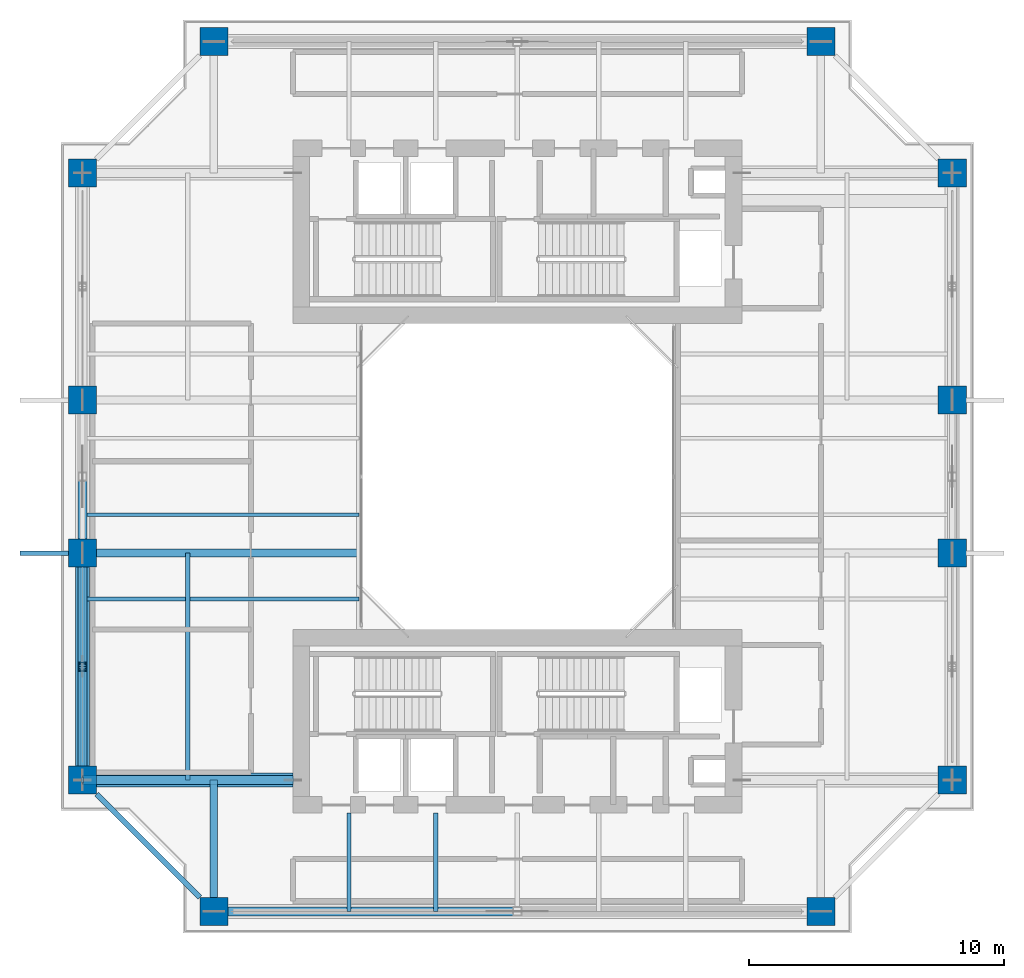
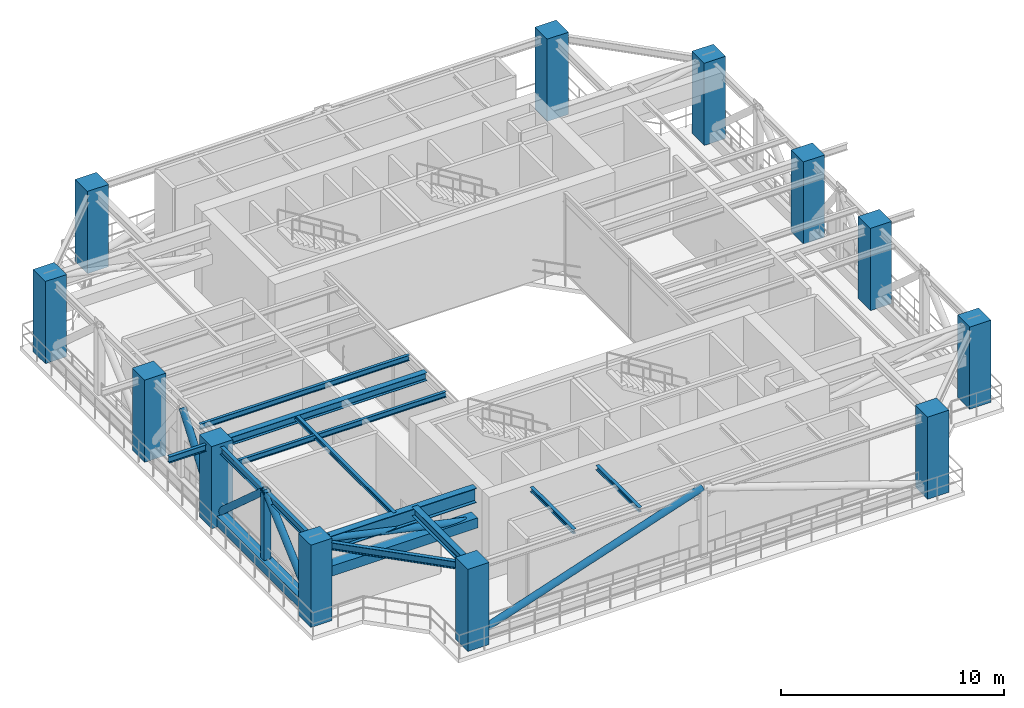
# One storey, part 1 of 11: 12 columns, 11 beams, 8 members.
"""IFC4 building model written with IfcOpenShell, lengths in metres."""

from ifc_helpers import new_model, si_unit, direction, frame, origin, origin_2d, place, context, subcontext, project, spatial, rectangle, hollow_rectangle, hollow_circle, i_section, extrude, source, transform, mapped, material, material_profile, profile_set, type_object, element, save


model = new_model("IFC4")

# Units and contexts
model_context = context("Model", 3, precision=1e-05, world=origin(), true_north=direction((0.0, 1.0)))
body_context = subcontext(model_context, "Body", "Model", "MODEL_VIEW")
ifc_project = project(units=[si_unit("LENGTHUNIT", "METRE"), si_unit("AREAUNIT", "SQUARE_METRE"), si_unit("VOLUMEUNIT", "CUBIC_METRE"), si_unit("PLANEANGLEUNIT", "RADIAN"), si_unit("MASSUNIT", "GRAM", prefix="KILO"), si_unit("THERMODYNAMICTEMPERATUREUNIT", "KELVIN"), si_unit("POWERUNIT", "WATT")], contexts=[model_context])

# Site, building, storey
site_placement = place(None, origin())
site = spatial("IfcSite", under=ifc_project, at=site_placement, CompositionType="ELEMENT")
building_placement = place(site_placement, origin())
building = spatial("IfcBuilding", under=site, at=building_placement, Name="Qiaomeng Ring Towers", CompositionType="ELEMENT")
storey_placement = place(building_placement, frame((0.0, 0.0, 139.25)))
storey = spatial("IfcBuildingStorey", under=building, at=storey_placement, Name="L40", CompositionType="ELEMENT", Elevation=139.25)

# Columns
ifc_material_1 = material(Name="Concrete C55", Category="concrete")
ifc_material_profile_1 = material_profile(ifc_material_1, rectangle(XDim=1.10009765625, YDim=1.10009765625, at=origin_2d()), Name="RC COL 1100x1100")
ifc_profile_set_1 = profile_set([ifc_material_profile_1], Name="Concrete C55")
column_type = type_object("IfcColumnType", Name="STR-COL-1100-C55", PredefinedType="COLUMN", material=ifc_profile_set_1)
shared_shape_1 = source(origin(), body_context, "Body", "SweptSolid", [
    extrude(rectangle(XDim=1.10009765625, YDim=1.10009765625, at=origin_2d()), origin(), (0.0, 0.0, 1.0), 4.5),
])
for number, where, z_axis, x_axis, name in (
    (1, (7.10009765625, 5.949951171875, 0.0), (0.0, 0.0, 1.0), (1.0, 0.0, 0.0), "L40 column STR-COL-L40-T1-S1"),
    (2, (30.89990234375, 5.949951171875, 0.0), (0.0, 0.0, 1.0), (1.0, 0.0, 0.0), "L40 column STR-COL-L40-T1-S2"),
    (3, (36.050048828125, 11.10009765625, 0.0), (0.0, 0.0, 1.0), (1.0, 0.0, 0.0), "L40 column STR-COL-L40-T1-E1"),
    (4, (36.050048828125, 20.0, 0.0), (0.0, 0.0, 1.0), (1.0, 0.0, 0.0), "L40 column STR-COL-L40-T1-E2"),
    (5, (36.050048828125, 26.0, 0.0), (0.0, 0.0, 1.0), (1.0, 0.0, 0.0), "L40 column STR-COL-L40-T1-E3"),
    (6, (36.050048828125, 34.89990234375, 0.0), (0.0, 0.0, 1.0), (1.0, 0.0, 0.0), "L40 column STR-COL-L40-T1-E4"),
    (7, (30.89990234375, 40.050048828125, 0.0), (0.0, 0.0, 1.0), (1.0, 0.0, 0.0), "L40 column STR-COL-L40-T1-N2"),
    (8, (7.10009765625, 40.050048828125, 0.0), (0.0, 0.0, 1.0), (1.0, 0.0, 0.0), "L40 column STR-COL-L40-T1-N1"),
    (9, (1.949951171875, 34.89990234375, 0.0), (0.0, 0.0, 1.0), (1.0, 0.0, 0.0), "L40 column STR-COL-L40-T1-W4"),
    (10, (1.949951171875, 26.0, 0.0), (0.0, 0.0, 1.0), (1.0, 0.0, 0.0), "L40 column STR-COL-L40-T1-W3"),
    (11, (1.949951171875, 20.0, 0.0), (0.0, 0.0, 1.0), (1.0, 0.0, 0.0), "L40 column STR-COL-L40-T1-W2"),
    (12, (1.949951171875, 11.10009765625, 0.0), (0.0, 0.0, 1.0), (1.0, 0.0, 0.0), "L40 column STR-COL-L40-T1-W1"),
):
    element("IfcColumn", number, at=place(storey_placement, frame(where, z_axis=z_axis, x_axis=x_axis)), inside=storey, type_object=column_type, Name=name, PredefinedType="COLUMN", context=body_context, shape_type="MappedRepresentation", body=[
        mapped(shared_shape_1, transform((0.0, 0.0, 0.0), x_axis=(1.0, 0.0, 0.0), y_axis=(0.0, 1.0, 0.0), z_axis=(0.0, 0.0, 1.0), scale=1.0)),
    ])

# Member
ifc_material_2 = material(Name="Steel Q390GJC", Category="steel")
ifc_material_profile_2 = material_profile(ifc_material_2, hollow_rectangle(XDim=0.35009765625, YDim=0.35009765625, WallThickness=0.02001953125, at=origin_2d()), Name="SHS 350x350x20")
ifc_profile_set_2 = profile_set([ifc_material_profile_2], Name="Steel Q390GJC")
member_type_1 = type_object("IfcMemberType", Name="STR-MB-POST-350", PredefinedType="POST", material=ifc_profile_set_2)
shared_shape_2 = source(origin(), body_context, "Body", "SweptSolid", [
    extrude(hollow_rectangle(XDim=0.35009765625, YDim=0.35009765625, WallThickness=0.02001953125, at=origin_2d()), origin(), (0.0, 0.0, 1.0), 4.0),
])
member_1_placement = place(storey_placement, frame((1.949951171875, 15.550048828125, 0.320068359375), z_axis=(0.0, 0.0, 1.0), x_axis=(1.0, 0.0, 0.0)))
element("IfcMember", 13, at=member_1_placement, inside=storey, type_object=member_type_1, Name="L40 Belt Truss Post W2-W1", PredefinedType="POST", context=body_context, shape_type="MappedRepresentation", body=[
    mapped(shared_shape_2, transform((0.0, 0.0, 0.0), x_axis=(1.0, 0.0, 0.0), y_axis=(0.0, 1.0, 0.0), z_axis=(0.0, 0.0, 1.0), scale=1.0)),
])

# Beams
ifc_material_3 = material(Name="Steel Q355B", Category="steel")
ifc_material_profile_3 = material_profile(ifc_material_3, i_section(OverallWidth=0.199951171875, OverallDepth=0.39990234375, WebThickness=0.008056640625, FlangeThickness=0.012939453125, FilletRadius=0.01611328125, at=origin_2d()), Name="HN 400x200x8x13")
ifc_profile_set_3 = profile_set([ifc_material_profile_3], Name="Steel Q355B")
beam_type_1 = type_object("IfcBeamType", Name="STR-BM-HN400", PredefinedType="SPANDREL", material=ifc_profile_set_3)
shared_shape_3 = source(origin(), body_context, "Body", "SweptSolid", [
    extrude(i_section(OverallWidth=0.199951171875, OverallDepth=0.39990234375, WebThickness=0.008056640625, FlangeThickness=0.012939453125, FilletRadius=0.01611328125, at=origin_2d()), origin(), (0.0, 0.0, 1.0), 5.729736328125),
])
beam_1_placement = place(storey_placement, frame((2.499267578125, 10.55078125, 4.1201171875), z_axis=(0.707106781187, -0.707106781187, 0.0), x_axis=(0.707106781187, 0.707106781187, 0.0)))
element("IfcBeam", 14, at=beam_1_placement, inside=storey, type_object=beam_type_1, Name="L40 beam STR-SP-L40-T1-W1-S1", PredefinedType="SPANDREL", context=body_context, shape_type="MappedRepresentation", body=[
    mapped(shared_shape_3, transform((0.0, 0.0, 0.0), x_axis=(1.0, 0.0, 0.0), y_axis=(0.0, 1.0, 0.0), z_axis=(0.0, 0.0, 1.0), scale=1.0)),
])
shared_shape_4 = source(origin(), body_context, "Body", "SweptSolid", [
    extrude(i_section(OverallWidth=0.199951171875, OverallDepth=0.39990234375, WebThickness=0.008056640625, FlangeThickness=0.012939453125, FilletRadius=0.01611328125, at=origin_2d()), origin(), (0.0, 0.0, 1.0), 7.802001953125),
])
beam_2_placement = place(storey_placement, frame((1.949951171875, 19.450927734375, 4.1201171875), z_axis=(0.0, -1.0, 0.0), x_axis=(1.0, 0.0, 0.0)))
element("IfcBeam", 15, at=beam_2_placement, inside=storey, type_object=beam_type_1, Name="L40 beam STR-SP-L40-T1-W2-W1", PredefinedType="SPANDREL", context=body_context, shape_type="MappedRepresentation", body=[
    mapped(shared_shape_4, transform((0.0, 0.0, 0.0), x_axis=(1.0, 0.0, 0.0), y_axis=(0.0, 1.0, 0.0), z_axis=(0.0, 0.0, 1.0), scale=1.0)),
])
ifc_material_profile_4 = material_profile(ifc_material_2, i_section(OverallWidth=0.35009765625, OverallDepth=0.800048828125, WebThickness=0.01611328125, FlangeThickness=0.028076171875, at=origin_2d()), Name="WH 800x350x16x28")
ifc_profile_set_4 = profile_set([ifc_material_profile_4], Name="Steel Q390GJC")
beam_type_2 = type_object("IfcBeamType", Name="STR-BM-WH800", PredefinedType="BEAM", material=ifc_profile_set_4)
shared_shape_5 = source(origin(), body_context, "Body", "SweptSolid", [
    extrude(i_section(OverallWidth=0.35009765625, OverallDepth=0.800048828125, WebThickness=0.01611328125, FlangeThickness=0.028076171875, at=origin_2d()), origin(), (0.0, 0.0, 1.0), 7.700927734375),
])
beam_3_placement = place(storey_placement, frame((2.4990234375, 11.10009765625, 3.919921875), z_axis=(1.0, 0.0, 0.0), x_axis=(0.0, 1.0, 0.0)))
element("IfcBeam", 16, at=beam_3_placement, inside=storey, type_object=beam_type_2, Name="L40 beam STR-BM-L40-T1-RAD-W1", PredefinedType="BEAM", context=body_context, shape_type="MappedRepresentation", body=[
    mapped(shared_shape_5, transform((0.0, 0.0, 0.0), x_axis=(1.0, 0.0, 0.0), y_axis=(0.0, 1.0, 0.0), z_axis=(0.0, 0.0, 1.0), scale=1.0)),
])
ifc_material_profile_5 = material_profile(ifc_material_3, i_section(OverallWidth=0.300048828125, OverallDepth=0.488037109375, WebThickness=0.010986328125, FlangeThickness=0.01806640625, FilletRadius=0.02587890625, at=origin_2d()), Name="HM 488x300x11x18")
ifc_profile_set_5 = profile_set([ifc_material_profile_5], Name="Steel Q355B")
beam_type_3 = type_object("IfcBeamType", Name="STR-BM-HM488", PredefinedType="BEAM", material=ifc_profile_set_5)
shared_shape_6 = source(origin(), body_context, "Body", "SweptSolid", [
    extrude(i_section(OverallWidth=0.300048828125, OverallDepth=0.488037109375, WebThickness=0.010986328125, FlangeThickness=0.01806640625, FilletRadius=0.02587890625, at=origin_2d()), origin(), (0.0, 0.0, 1.0), 4.60107421875),
])
beam_4_placement = place(storey_placement, frame((7.10009765625, 6.4990234375, 4.075927734375), z_axis=(0.0, 1.0, 0.0), x_axis=(-1.0, 0.0, 0.0)))
element("IfcBeam", 17, at=beam_4_placement, inside=storey, type_object=beam_type_3, Name="L40 beam STR-BM-L40-T1-RAD-S1", PredefinedType="BEAM", context=body_context, shape_type="MappedRepresentation", body=[
    mapped(shared_shape_6, transform((0.0, 0.0, 0.0), x_axis=(1.0, 0.0, 0.0), y_axis=(0.0, 1.0, 0.0), z_axis=(0.0, 0.0, 1.0), scale=1.0)),
])
ifc_material_profile_6 = material_profile(ifc_material_3, i_section(OverallWidth=0.300048828125, OverallDepth=0.43994140625, WebThickness=0.010986328125, FlangeThickness=0.01806640625, FilletRadius=0.02392578125, at=origin_2d()), Name="HM 440x300x11x18")
ifc_profile_set_6 = profile_set([ifc_material_profile_6], Name="Steel Q355B")
beam_type_4 = type_object("IfcBeamType", Name="STR-BM-HM440", PredefinedType="BEAM", material=ifc_profile_set_6)
shared_shape_7 = source(origin(), body_context, "Body", "SweptSolid", [
    extrude(i_section(OverallWidth=0.300048828125, OverallDepth=0.43994140625, WebThickness=0.010986328125, FlangeThickness=0.01806640625, FilletRadius=0.02392578125, at=origin_2d()), origin(), (0.0, 0.0, 1.0), 10.301025390625),
])
beam_5_placement = place(storey_placement, frame((2.4990234375, 20.0, 4.10009765625), z_axis=(1.0, 0.0, 0.0), x_axis=(0.0, 1.0, 0.0)))
element("IfcBeam", 18, at=beam_5_placement, inside=storey, type_object=beam_type_4, Name="L40 beam STR-BM-L40-T1-RAD-W2", PredefinedType="BEAM", context=body_context, shape_type="MappedRepresentation", body=[
    mapped(shared_shape_7, transform((0.0, 0.0, 0.0), x_axis=(1.0, 0.0, 0.0), y_axis=(0.0, 1.0, 0.0), z_axis=(0.0, 0.0, 1.0), scale=1.0)),
])
ifc_material_profile_7 = material_profile(ifc_material_3, i_section(OverallWidth=0.175048828125, OverallDepth=0.243896484375, WebThickness=0.007080078125, FlangeThickness=0.010986328125, FilletRadius=0.01611328125, at=origin_2d()), Name="HM 244x175x7x11")
ifc_profile_set_7 = profile_set([ifc_material_profile_7], Name="Steel Q355B")
beam_type_5 = type_object("IfcBeamType", Name="STR-BM-HM244", PredefinedType="JOIST", material=ifc_profile_set_7)
shared_shape_8 = source(origin(), body_context, "Body", "SweptSolid", [
    extrude(i_section(OverallWidth=0.175048828125, OverallDepth=0.243896484375, WebThickness=0.007080078125, FlangeThickness=0.010986328125, FilletRadius=0.01611328125, at=origin_2d()), origin(), (0.0, 0.0, 1.0), 3.85009765625),
])
for number, where, z_axis, x_axis, name in (
    (19, (12.39990234375, 5.949951171875, 4.197998046875), (0.0, 1.0, 0.0), (-1.0, 0.0, 0.0), "L40 beam STR-JST-L40-T1S-1"),
    (20, (15.800048828125, 5.949951171875, 4.197998046875), (0.0, 1.0, 0.0), (-1.0, 0.0, 0.0), "L40 beam STR-JST-L40-T1S-2"),
):
    element("IfcBeam", number, at=place(storey_placement, frame(where, z_axis=z_axis, x_axis=x_axis)), inside=storey, type_object=beam_type_5, Name=name, PredefinedType="JOIST", context=body_context, shape_type="MappedRepresentation", body=[
        mapped(shared_shape_8, transform((0.0, 0.0, 0.0), x_axis=(1.0, 0.0, 0.0), y_axis=(0.0, 1.0, 0.0), z_axis=(0.0, 0.0, 1.0), scale=1.0)),
    ])
ifc_material_profile_8 = material_profile(ifc_material_3, i_section(OverallWidth=0.14990234375, OverallDepth=0.300048828125, WebThickness=0.006591796875, FlangeThickness=0.009033203125, FilletRadius=0.012939453125, at=origin_2d()), Name="HN 300x150x6.5x9")
ifc_profile_set_8 = profile_set([ifc_material_profile_8], Name="Steel Q355B")
beam_type_6 = type_object("IfcBeamType", Name="STR-BM-HN300", PredefinedType="JOIST", material=ifc_profile_set_8)
shared_shape_9 = source(origin(), body_context, "Body", "SweptSolid", [
    extrude(i_section(OverallWidth=0.14990234375, OverallDepth=0.300048828125, WebThickness=0.006591796875, FlangeThickness=0.009033203125, FilletRadius=0.012939453125, at=origin_2d()), origin(), (0.0, 0.0, 1.0), 10.85009765625),
])
for number, where, z_axis, x_axis, name in (
    (21, (1.949951171875, 18.199951171875, 4.169921875), (1.0, 0.0, 0.0), (0.0, 1.0, 0.0), "L40 beam STR-JST-L40-T1W-1"),
    (22, (1.949951171875, 21.5, 4.169921875), (1.0, 0.0, 0.0), (0.0, 1.0, 0.0), "L40 beam STR-JST-L40-T1W-2"),
):
    element("IfcBeam", number, at=place(storey_placement, frame(where, z_axis=z_axis, x_axis=x_axis)), inside=storey, type_object=beam_type_6, Name=name, PredefinedType="JOIST", context=body_context, shape_type="MappedRepresentation", body=[
        mapped(shared_shape_9, transform((0.0, 0.0, 0.0), x_axis=(1.0, 0.0, 0.0), y_axis=(0.0, 1.0, 0.0), z_axis=(0.0, 0.0, 1.0), scale=1.0)),
    ])
shared_shape_10 = source(origin(), body_context, "Body", "SweptSolid", [
    extrude(i_section(OverallWidth=0.175048828125, OverallDepth=0.243896484375, WebThickness=0.007080078125, FlangeThickness=0.010986328125, FilletRadius=0.01611328125, at=origin_2d()), origin(), (0.0, 0.0, 1.0), 8.89990234375),
])
beam_6_placement = place(storey_placement, frame((6.074951171875, 11.10009765625, 4.197998046875), z_axis=(0.0, 1.0, 0.0), x_axis=(-1.0, 0.0, 0.0)))
element("IfcBeam", 23, at=beam_6_placement, inside=storey, type_object=beam_type_5, Name="L40 beam STR-JST-L40-T1C-WS", PredefinedType="JOIST", context=body_context, shape_type="MappedRepresentation", body=[
    mapped(shared_shape_10, transform((0.0, 0.0, 0.0), x_axis=(1.0, 0.0, 0.0), y_axis=(0.0, 1.0, 0.0), z_axis=(0.0, 0.0, 1.0), scale=1.0)),
])
ifc_material_profile_9 = material_profile(ifc_material_3, i_section(OverallWidth=0.175048828125, OverallDepth=0.35009765625, WebThickness=0.007080078125, FlangeThickness=0.010986328125, FilletRadius=0.013916015625, at=origin_2d()), Name="HN 350x175x7x11")
ifc_profile_set_9 = profile_set([ifc_material_profile_9], Name="Steel Q355B")
beam_type_7 = type_object("IfcBeamType", Name="STR-BM-HN350", PredefinedType="JOIST", material=ifc_profile_set_9)
shared_shape_11 = source(origin(), body_context, "Body", "SweptSolid", [
    extrude(i_section(OverallWidth=0.175048828125, OverallDepth=0.35009765625, WebThickness=0.007080078125, FlangeThickness=0.010986328125, FilletRadius=0.013916015625, at=origin_2d()), origin(), (0.0, 0.0, 1.0), 1.90087890625),
])
beam_7_placement = place(storey_placement, frame((-0.5, 20.0, 4.14501953125), z_axis=(1.0, 0.0, 0.0), x_axis=(0.0, 1.0, 0.0)))
element("IfcBeam", 24, at=beam_7_placement, inside=storey, type_object=beam_type_7, Name="L40 beam STR-BALBM-L40-W2", PredefinedType="JOIST", context=body_context, shape_type="MappedRepresentation", body=[
    mapped(shared_shape_11, transform((0.0, 0.0, 0.0), x_axis=(1.0, 0.0, 0.0), y_axis=(0.0, 1.0, 0.0), z_axis=(0.0, 0.0, 1.0), scale=1.0)),
])

# Members
ifc_material_profile_10 = material_profile(ifc_material_2, hollow_circle(Radius=0.177978515625, WallThickness=0.02001953125, at=origin_2d()), Name="CHS 356x20")
ifc_profile_set_10 = profile_set([ifc_material_profile_10], Name="Steel Q390GJC")
member_type_2 = type_object("IfcMemberType", Name="STR-MB-BR-356", PredefinedType="BRACE", material=ifc_profile_set_10)
shared_shape_12 = source(origin(), body_context, "Body", "SweptSolid", [
    extrude(hollow_circle(Radius=0.177978515625, WallThickness=0.02001953125, at=origin_2d()), origin(), (0.0, 0.0, 1.0), 12.5478515625),
])
member_2_placement = place(storey_placement, frame((7.10009765625, 5.949951171875, 0.320068359375), z_axis=(0.948363723431, 0.0, 0.317184879967), x_axis=(0.0, 1.0, 0.0)))
element("IfcMember", 25, at=member_2_placement, inside=storey, type_object=member_type_2, Name="L40 Belt Truss Diagonal S1-M", PredefinedType="BRACE", context=body_context, shape_type="MappedRepresentation", body=[
    mapped(shared_shape_12, transform((0.0, 0.0, 0.0), x_axis=(1.0, 0.0, 0.0), y_axis=(0.0, 1.0, 0.0), z_axis=(0.0, 0.0, 1.0), scale=1.0)),
])
ifc_material_profile_11 = material_profile(ifc_material_2, hollow_rectangle(XDim=0.550048828125, YDim=0.550048828125, WallThickness=0.031982421875, at=origin_2d()), Name="SHS 550x550x32")
ifc_profile_set_11 = profile_set([ifc_material_profile_11], Name="Steel Q390GJC")
member_type_3 = type_object("IfcMemberType", Name="STR-MB-CHORD-550", PredefinedType="CHORD", material=ifc_profile_set_11)
shared_shape_13 = source(origin(), body_context, "Body", "SweptSolid", [
    extrude(hollow_rectangle(XDim=0.550048828125, YDim=0.550048828125, WallThickness=0.031982421875, at=origin_2d()), origin(), (0.0, 0.0, 1.0), 8.89990234375),
])
member_3_placement = place(storey_placement, frame((1.949951171875, 20.0, 0.320068359375), z_axis=(0.0, -1.0, 0.0), x_axis=(1.0, 0.0, 0.0)))
element("IfcMember", 26, at=member_3_placement, inside=storey, type_object=member_type_3, Name="L40 Belt Truss Bottom Chord W2-W1", PredefinedType="CHORD", context=body_context, shape_type="MappedRepresentation", body=[
    mapped(shared_shape_13, transform((0.0, 0.0, 0.0), x_axis=(1.0, 0.0, 0.0), y_axis=(0.0, 1.0, 0.0), z_axis=(0.0, 0.0, 1.0), scale=1.0)),
])
shared_shape_14 = source(origin(), body_context, "Body", "SweptSolid", [
    extrude(hollow_circle(Radius=0.177978515625, WallThickness=0.02001953125, at=origin_2d()), origin(), (0.0, 0.0, 1.0), 5.97021484375),
])
for number, where, z_axis, x_axis, name in (
    (27, (1.949951171875, 20.0, 0.320068359375), (0.0, -0.745370712537, 0.666650208799), (1.0, 0.0, 0.0), "L40 Belt Truss Diagonal W2-M"),
    (28, (1.949951171875, 11.10009765625, 0.320068359375), (0.0, 0.745370712537, 0.666650208799), (-1.0, 0.0, 0.0), "L40 Belt Truss Diagonal W1-M"),
):
    element("IfcMember", number, at=place(storey_placement, frame(where, z_axis=z_axis, x_axis=x_axis)), inside=storey, type_object=member_type_2, Name=name, PredefinedType="BRACE", context=body_context, shape_type="MappedRepresentation", body=[
        mapped(shared_shape_14, transform((0.0, 0.0, 0.0), x_axis=(1.0, 0.0, 0.0), y_axis=(0.0, 1.0, 0.0), z_axis=(0.0, 0.0, 1.0), scale=1.0)),
    ])
shared_shape_15 = source(origin(), body_context, "Body", "SweptSolid", [
    extrude(hollow_circle(Radius=0.177978515625, WallThickness=0.02001953125, at=origin_2d()), origin(), (0.0, 0.0, 1.0), 4.98388671875),
])
member_4_placement = place(storey_placement, frame((1.949951171875, 20.0, 0.320068359375), z_axis=(0.0, 0.601926302674, 0.798551642757), x_axis=(-1.0, 0.0, 0.0)))
element("IfcMember", 29, at=member_4_placement, inside=storey, type_object=member_type_2, Name="L40 Belt Truss Diagonal W2-M", PredefinedType="BRACE", context=body_context, shape_type="MappedRepresentation", body=[
    mapped(shared_shape_15, transform((0.0, 0.0, 0.0), x_axis=(1.0, 0.0, 0.0), y_axis=(0.0, 1.0, 0.0), z_axis=(0.0, 0.0, 1.0), scale=1.0)),
])
shared_shape_16 = source(origin(), body_context, "Body", "SweptSolid", [
    extrude(hollow_rectangle(XDim=0.550048828125, YDim=0.550048828125, WallThickness=0.031982421875, at=origin_2d()), origin(), (0.0, 0.0, 1.0), 8.25),
])
member_5_placement = place(storey_placement, frame((10.199951171875, 11.10009765625, 2.47998046875), z_axis=(-1.0, 0.0, 0.0), x_axis=(0.0, -1.0, 0.0)))
element("IfcMember", 30, at=member_5_placement, inside=storey, type_object=member_type_3, Name="L40 Core Outrigger Truss Bottom Chord W1", PredefinedType="CHORD", context=body_context, shape_type="MappedRepresentation", body=[
    mapped(shared_shape_16, transform((0.0, 0.0, 0.0), x_axis=(1.0, 0.0, 0.0), y_axis=(0.0, 1.0, 0.0), z_axis=(0.0, 0.0, 1.0), scale=1.0)),
])
shared_shape_17 = source(origin(), body_context, "Body", "SweptSolid", [
    extrude(hollow_circle(Radius=0.177978515625, WallThickness=0.02001953125, at=origin_2d()), origin(), (0.0, 0.0, 1.0), 8.448486328125),
])
member_6_placement = place(storey_placement, frame((10.199951171875, 11.10009765625, 2.47998046875), z_axis=(-0.976518409555, 0.0, 0.215433970858), x_axis=(0.0, -1.0, 0.0)))
element("IfcMember", 31, at=member_6_placement, inside=storey, type_object=member_type_2, Name="L40 Core Outrigger Truss Diagonal W1", PredefinedType="BRACE", context=body_context, shape_type="MappedRepresentation", body=[
    mapped(shared_shape_17, transform((0.0, 0.0, 0.0), x_axis=(1.0, 0.0, 0.0), y_axis=(0.0, 1.0, 0.0), z_axis=(0.0, 0.0, 1.0), scale=1.0)),
])

save(model, "model.ifc")
